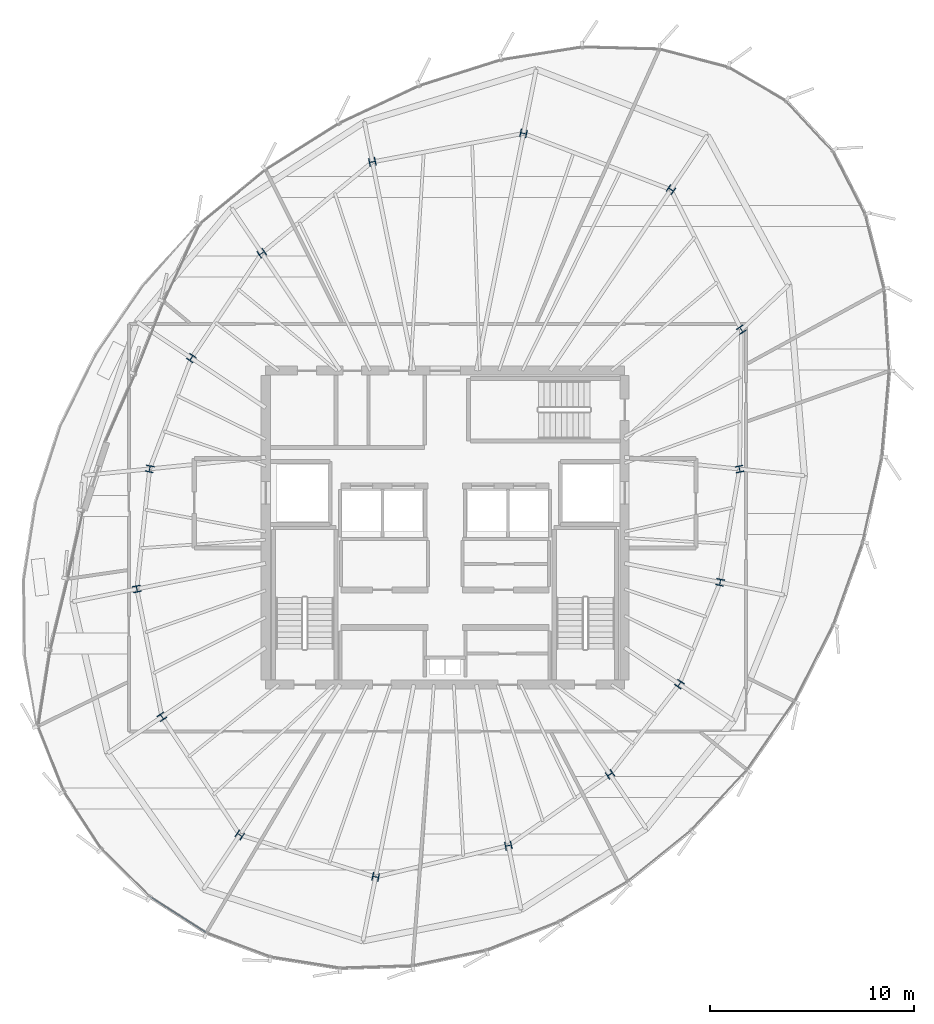
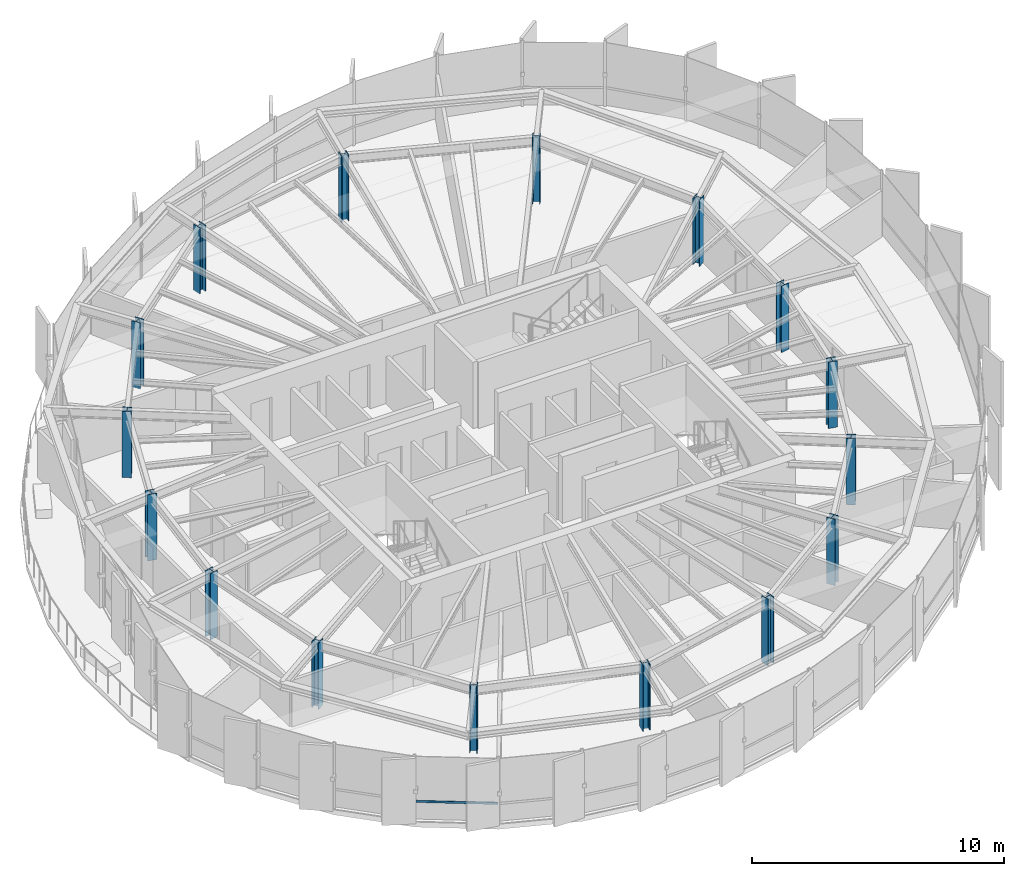
# One storey, part 1 of 36: 16 columns, 1 member, 1 element without a shape of its own.
"""IFC4 building model written with IfcOpenShell, lengths in metres."""

from ifc_helpers import new_model, si_unit, direction, frame, origin, origin_2d, place, context, subcontext, project, spatial, hollow_rectangle, i_section, extrude, source, transform, mapped, material, layer, layer_set, material_profile, profile_set, type_object, element, aggregate, save


model = new_model("IFC4")

# Units and contexts
model_context = context("Model", 3, precision=1e-05, world=origin(), true_north=direction((0.0, 1.0)))
body_context = subcontext(model_context, "Body", "Model", "MODEL_VIEW")
ifc_project = project(units=[si_unit("LENGTHUNIT", "METRE"), si_unit("AREAUNIT", "SQUARE_METRE"), si_unit("VOLUMEUNIT", "CUBIC_METRE"), si_unit("PLANEANGLEUNIT", "RADIAN"), si_unit("MASSUNIT", "GRAM", prefix="KILO"), si_unit("THERMODYNAMICTEMPERATUREUNIT", "KELVIN")], contexts=[model_context])

# Site, building, storey
site_placement = place(None, origin())
site = spatial("IfcSite", under=ifc_project, at=site_placement, CompositionType="ELEMENT")
building_placement = place(site_placement, origin())
building = spatial("IfcBuilding", under=site, at=building_placement, Name="Kethvar Cultural Tower", CompositionType="ELEMENT")
storey_placement = place(building_placement, frame((0.0, 0.0, 242.199951171875)))
storey = spatial("IfcBuildingStorey", under=building, at=storey_placement, Name="L63", CompositionType="ELEMENT", Elevation=242.199951171875)

# Columns
ifc_material_1 = material(Name="Steel S460M", Category="steel")
ifc_material_profile_1 = material_profile(ifc_material_1, i_section(OverallWidth=0.386962890625, OverallDepth=0.31591796875, WebThickness=0.0185546875, FlangeThickness=0.028076171875, FilletRadius=0.014892578125, at=origin_2d()), Name="Steel S460M — HD400x382")
ifc_profile_set_1 = profile_set([ifc_material_profile_1], Name="Steel S460M — HD400x382")
column_type = type_object("IfcColumnType", Name="COL-HD382", PredefinedType="COLUMN", material=ifc_profile_set_1)
shared_shape_1 = source(origin(), body_context, "Body", "SweptSolid", [
    extrude(i_section(OverallWidth=0.386962890625, OverallDepth=0.31591796875, WebThickness=0.0185546875, FlangeThickness=0.028076171875, FilletRadius=0.014892578125, at=origin_2d()), origin(), (0.0, 0.0, 1.0), 3.2099609375),
])
for number, where, z_axis, x_axis, name in (
    (1, (61.237060546875, 30.671630859375, 0.0), (0.0, 0.0, 1.0), (0.980785280403, 0.195090322016, 0.0), "L63 Mega-Column MC-01"),
    (2, (61.32568359375, 37.505859375, 0.0), (0.0, 0.0, 1.0), (0.831469612303, 0.55557023302, 0.0), "L63 Mega-Column MC-02"),
    (3, (57.875244140625, 44.375, 0.0), (0.0, 0.0, 1.0), (0.55557023302, 0.831469612303, 0.0), "L63 Mega-Column MC-03"),
    (4, (50.645263671875, 47.131591796875, 0.0), (0.0, 0.0, 1.0), (0.195090322016, 0.980785280403, 0.0), "L63 Mega-Column MC-04"),
    (5, (43.23291015625, 45.732421875, 0.0), (0.0, 0.0, 1.0), (-0.195090322016, 0.980785280403, 0.0), "L63 Mega-Column MC-05"),
    (6, (37.8095703125, 41.255126953125, 0.0), (0.0, 0.0, 1.0), (-0.55557023302, 0.831469612303, 0.0), "L63 Mega-Column MC-06"),
    (7, (34.35595703125, 36.114990234375, 0.0), (0.0, 0.0, 1.0), (-0.831469612303, 0.55557023302, 0.0), "L63 Mega-Column MC-07"),
    (8, (32.3125, 30.681884765625, 0.0), (0.0, 0.0, 1.0), (-0.980785280403, 0.195090322016, 0.0), "L63 Mega-Column MC-08"),
    (9, (31.68310546875, 24.79296875, 0.0), (0.0, 0.0, 1.0), (-0.980785280403, -0.195090322016, 0.0), "L63 Mega-Column MC-09"),
    (10, (32.912841796875, 18.52099609375, 0.0), (0.0, 0.0, 1.0), (-0.831469612303, -0.55557023302, 0.0), "L63 Mega-Column MC-10"),
    (11, (36.731201171875, 12.73095703125, 0.0), (0.0, 0.0, 1.0), (-0.55557023302, -0.831469612303, 0.0), "L63 Mega-Column MC-11"),
    (12, (43.392822265625, 10.67138671875, 0.0), (0.0, 0.0, 1.0), (-0.195090322016, -0.980785280403, 0.0), "L63 Mega-Column MC-12"),
    (13, (49.901611328125, 12.206787109375, 0.0), (0.0, 0.0, 1.0), (0.195090322016, -0.980785280403, 0.0), "L63 Mega-Column MC-13"),
    (14, (54.885009765625, 15.7001953125, 0.0), (0.0, 0.0, 1.0), (0.55557023302, -0.831469612303, 0.0), "L63 Mega-Column MC-14"),
    (15, (58.287109375, 20.12451171875, 0.0), (0.0, 0.0, 1.0), (0.831469612303, -0.55557023302, 0.0), "L63 Mega-Column MC-15"),
    (16, (60.28369140625, 25.117919921875, 0.0), (0.0, 0.0, 1.0), (0.980785280403, -0.195090322016, 0.0), "L63 Mega-Column MC-16"),
):
    element("IfcColumn", number, at=place(storey_placement, frame(where, z_axis=z_axis, x_axis=x_axis)), inside=storey, type_object=column_type, Name=name, PredefinedType="COLUMN", context=body_context, shape_type="MappedRepresentation", body=[
        mapped(shared_shape_1, transform((0.0, 0.0, 0.0), scale=1.0)),
    ])

# Curtain wall, member
ifc_material_2 = material(Name="Aluminium 6063-T6", Category="aluminium")
ifc_layer = layer(ifc_material_2, 0.179931640625, Name="Aluminium 6063-T6", Category="aluminium")
ifc_layer_set = layer_set([ifc_layer], Name="Aluminium 6063-T6 (180 mm)")
curtain_wall_type = type_object("IfcCurtainWallType", Name="CW-SYS-05-Z56", PredefinedType="NOTDEFINED", material=ifc_layer_set)
curtain_wall_placement = place(storey_placement, origin())
curtain_wall = element("IfcCurtainWall", 17, at=curtain_wall_placement, inside=storey, type_object=curtain_wall_type, Name="L63 Curtain Wall Run 04", PredefinedType="NOTDEFINED")
ifc_material_profile_2 = material_profile(ifc_material_2, hollow_rectangle(XDim=0.050048828125, YDim=0.10009765625, WallThickness=0.00390625, at=origin_2d()), Name="Aluminium 6063-T6 — RHS100x50x4")
ifc_profile_set_2 = profile_set([ifc_material_profile_2], Name="Aluminium 6063-T6 — RHS100x50x4")
member_type = type_object("IfcMemberType", Name="CW-SYS-05-Z56-TRN", PredefinedType="USERDEFINED", material=ifc_profile_set_2)
shared_shape_2 = source(origin(), body_context, "Body", "SweptSolid", [
    extrude(hollow_rectangle(XDim=0.050048828125, YDim=0.10009765625, WallThickness=0.00390625, at=origin_2d()), origin(), (0.0, 0.0, 1.0), 3.252197265625),
])
member_placement = place(storey_placement, frame((32.337158203125, 9.701416015625, 0.949951171875), z_axis=(0.842354555003, -0.538923745688, 0.0), x_axis=(0.538923745688, 0.842354555003, 0.0)))
member = element("IfcMember", 18, at=member_placement, type_object=member_type, Name="CW-L63-R04 Transom 1", ObjectType="TRANSOM", PredefinedType="USERDEFINED", context=body_context, shape_type="MappedRepresentation", body=[
    mapped(shared_shape_2, transform((0.0, 0.0, 0.0), scale=1.0)),
])
aggregate(curtain_wall, [member])

save(model, "model.ifc")
